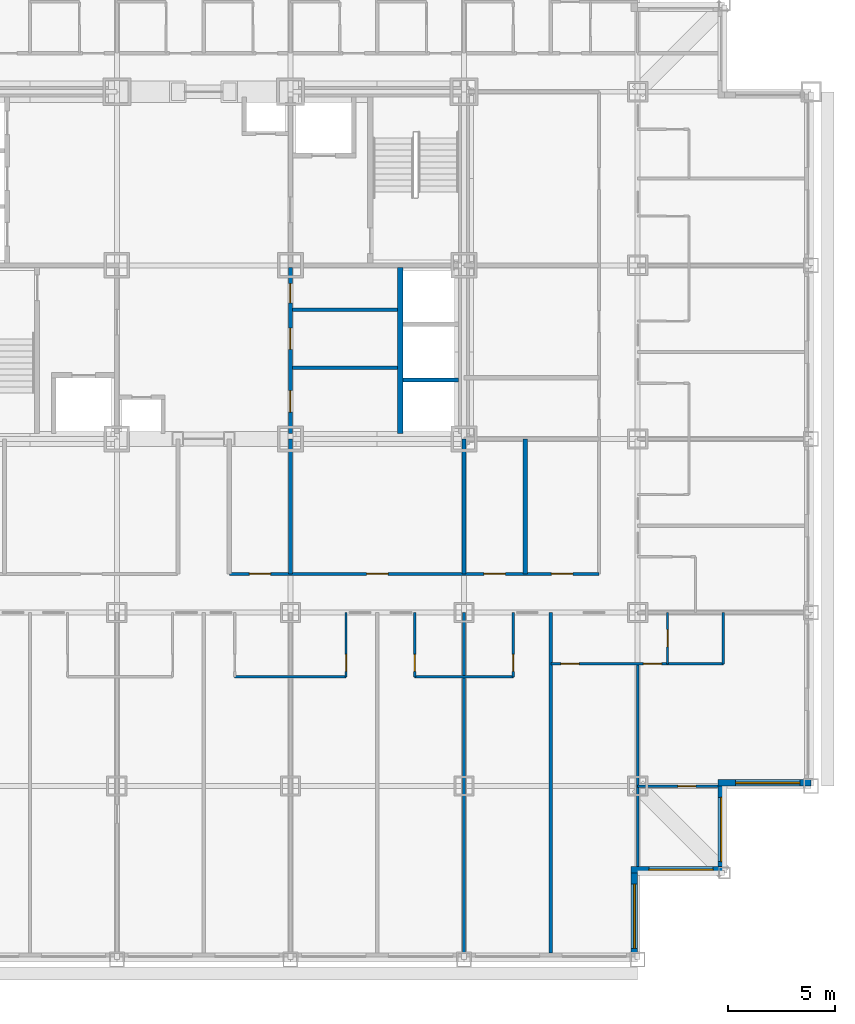
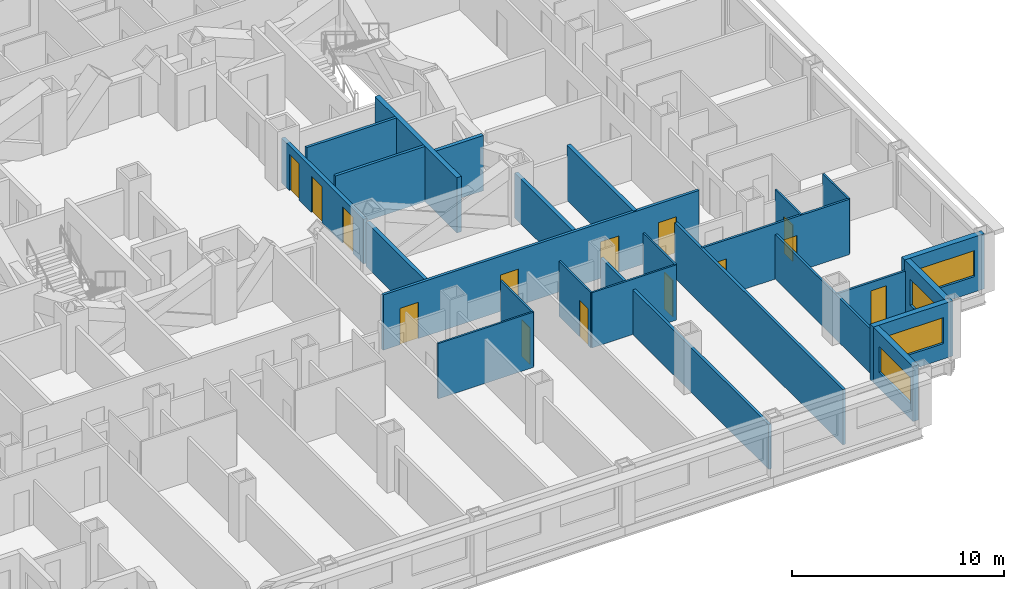
# One storey, part 6 of 12: 25 walls, 14 doors, 4 windows, 18 openings.
"""IFC4 building model written with IfcOpenShell, lengths in metres."""

import ifcopenshell
import ifcopenshell.guid

model = None  # the IFC model being written
_history = None  # IfcOwnerHistory: only IFC2X3 demands one
_inside = {}  # id of a spatial element -> (the spatial element, [elements in it])
_under = {}  # id of a project, library or spatial element -> (it, [spatial elements below it])
_declared = {}  # id of a project -> (the project, [libraries it declares])
_typed = {}  # id of a type object -> (the type object, [elements of that type])
_made_of = {}  # id of a material, layer set ... -> (it, [elements and type objects made of it])


def new_model(schema):
    """Start an empty IFC model of exactly this schema.

    Asked for "IFC4X3", IfcOpenShell would pick the latest addendum, in which some entities
    have other attributes; the version numbers below select the first issue.
    IFC2X3 requires an IfcOwnerHistory on every rooted entity: one is made here for all.
    """
    global model, _history
    if schema == "IFC4X3":
        model = ifcopenshell.file(schema_version=(4, 3, 0, 0))
    else:
        model = ifcopenshell.file(schema=schema)
    _inside.clear()
    _under.clear()
    _declared.clear()
    _typed.clear()
    _made_of.clear()
    _history = None
    if model.schema == "IFC2X3":
        org = make("IfcOrganization", Name="unknown")
        user = make(
            "IfcPersonAndOrganization",
            ThePerson=make("IfcPerson", FamilyName="unknown"),
            TheOrganization=org,
        )
        app = make(
            "IfcApplication",
            ApplicationDeveloper=org,
            Version="unknown",
            ApplicationFullName="unknown",
            ApplicationIdentifier="unknown",
        )
        _history = make(
            "IfcOwnerHistory",
            OwningUser=user,
            OwningApplication=app,
            ChangeAction="ADDED",
            CreationDate=0,
        )
    return model


def make(cls, **values):
    """One entity of the class cls with the attributes given. An attribute that is None is left unset."""
    return model.create_entity(
        cls, **{name: value for name, value in values.items() if value is not None}
    )


def rooted(cls, **values):
    """An entity with a GlobalId (a new one), such as an element, a storey or a relation."""
    return make(cls, GlobalId=ifcopenshell.guid.new(), OwnerHistory=_history, **values)


def si_unit(unit_type, name, prefix=None):
    """IfcSIUnit, for example si_unit("LENGTHUNIT", "METRE", prefix="MILLI")."""
    return make("IfcSIUnit", UnitType=unit_type, Prefix=prefix, Name=name)


def assignment(units):
    """IfcUnitAssignment: the units of a project."""
    return None if units is None else make("IfcUnitAssignment", Units=units)


def point(xyz):
    """IfcCartesianPoint."""
    return None if xyz is None else make("IfcCartesianPoint", Coordinates=xyz)


def direction(xyz):
    """IfcDirection."""
    return None if xyz is None else make("IfcDirection", DirectionRatios=xyz)


def frame(location, z_axis=None, x_axis=None):
    """IfcAxis2Placement3D, a coordinate frame: its origin and axes. An axis left out is left unset."""
    return make(
        "IfcAxis2Placement3D",
        Location=point(location),
        Axis=direction(z_axis),
        RefDirection=direction(x_axis),
    )


def frame_2d(location, x_axis=None):
    """IfcAxis2Placement2D, a coordinate frame in the plane: its origin and x axis."""
    return make(
        "IfcAxis2Placement2D", Location=point(location), RefDirection=direction(x_axis)
    )


def origin():
    """The frame at (0, 0, 0) with its axes left unset."""
    return frame((0.0, 0.0, 0.0))


def place(relative_to, where):
    """IfcLocalPlacement: puts the frame where relative to a parent placement (None: the world)."""
    return make(
        "IfcLocalPlacement", PlacementRelTo=relative_to, RelativePlacement=where
    )


def context(
    kind, dimensions, precision=None, world=None, true_north=None, identifier=None
):
    """IfcGeometricRepresentationContext, for example the 3D "Model" context."""
    return make(
        "IfcGeometricRepresentationContext",
        ContextIdentifier=identifier,
        ContextType=kind,
        CoordinateSpaceDimension=dimensions,
        Precision=precision,
        WorldCoordinateSystem=world,
        TrueNorth=true_north,
    )


def subcontext(parent, identifier, kind, view, scale=None):
    """IfcGeometricRepresentationSubContext, for example "Body" below "Model"."""
    return make(
        "IfcGeometricRepresentationSubContext",
        ContextIdentifier=identifier,
        ContextType=kind,
        ParentContext=parent,
        TargetScale=scale,
        TargetView=view,
    )


def project(units=None, contexts=None):
    """IfcProject with its units and contexts."""
    return rooted(
        "IfcProject",
        Name="project",
        RepresentationContexts=contexts,
        UnitsInContext=assignment(units),
    )


def spatial(cls, under=None, at=None, **own):
    """A site, building, storey or space (cls), placed at a placement, below another one or the project."""
    s = rooted(cls, ObjectPlacement=at, **own)
    if under is not None:
        _under.setdefault(under.id(), (under, []))[1].append(s)
    return s


def profile(cls, at=None, kind="AREA", **sizes):
    """A parametric profile (cls). Its sizes go by their IFC names, for example OverallWidth=200.0."""
    return make(cls, ProfileType=kind, Position=at, **sizes)


def rectangle(**sizes):
    """IfcRectangleProfileDef."""
    return profile("IfcRectangleProfileDef", **sizes)


def extrude(swept, where, along, depth):
    """IfcExtrudedAreaSolid: the profile swept, set in the frame where, extruded along a direction by depth."""
    return make(
        "IfcExtrudedAreaSolid",
        SweptArea=swept,
        Position=where,
        ExtrudedDirection=direction(along),
        Depth=depth,
    )


def shape(context_of_items, identifier, shape_type, items):
    """IfcShapeRepresentation: the items that make up one representation, for example the "Body"."""
    return make(
        "IfcShapeRepresentation",
        ContextOfItems=context_of_items,
        RepresentationIdentifier=identifier,
        RepresentationType=shape_type,
        Items=items,
    )


def material(Name=None, Category=None):
    """IfcMaterial."""
    return make("IfcMaterial", Name=Name, Category=Category)


def layer(
    of_material, thickness, ventilated=None, Name=None, Category=None, Priority=None
):
    """IfcMaterialLayer: one layer of a wall or slab, of a material (None: an air gap)."""
    return make(
        "IfcMaterialLayer",
        Material=of_material,
        LayerThickness=thickness,
        IsVentilated=ventilated,
        Name=Name,
        Category=Category,
        Priority=Priority,
    )


def layer_set(layers, Name=None):
    """IfcMaterialLayerSet."""
    return make("IfcMaterialLayerSet", MaterialLayers=layers, LayerSetName=Name)


def made_of(thing, what):
    """Note that an element or type object is made of a material, layer set ...; save() writes the relation."""
    if what is not None:
        _made_of.setdefault(what.id(), (what, []))[1].append(thing)
    return thing


def type_object(cls, material=None, **own):
    """A type object (cls), such as IfcWallType, which elements share."""
    return made_of(rooted(cls, **own), material)


def element(
    cls,
    number,
    at=None,
    inside=None,
    cuts=None,
    type_object=None,
    material=None,
    context=None,
    identifier="Body",
    shape_type=None,
    held_by="IfcProductDefinitionShape",
    body=None,
    shapes=None,
    **own,
):
    """One element of the class cls, such as IfcWall. Its Tag is "e" and its number.

    at: its placement. inside: the storey or other place that contains it. cuts: it is an
    opening in that element (IfcRelVoidsElement). A single representation is given by context,
    identifier, shape_type and body (its items); several are given by shapes. held_by: the class
    of the entity that holds the representations. save() writes the other relations.
    """
    e = rooted(cls, Tag="e%d" % number, ObjectPlacement=at, **own)
    if body is not None:
        shapes = [shape(context, identifier, shape_type, body)]
    if shapes is not None:
        e.Representation = make(held_by, Representations=shapes)
    if inside is not None:
        _inside.setdefault(inside.id(), (inside, []))[1].append(e)
    if cuts is not None:
        rooted(
            "IfcRelVoidsElement", RelatingBuildingElement=cuts, RelatedOpeningElement=e
        )
    if type_object is not None:
        _typed.setdefault(type_object.id(), (type_object, []))[1].append(e)
    return made_of(e, material)


def fill(opening, filler):
    """IfcRelFillsElement: the door or window that sits in an opening."""
    return rooted(
        "IfcRelFillsElement",
        RelatingOpeningElement=opening,
        RelatedBuildingElement=filler,
    )


def aggregate(whole, parts):
    """IfcRelAggregates: a whole, such as a stair, and the parts it consists of."""
    return rooted("IfcRelAggregates", RelatingObject=whole, RelatedObjects=parts)


def save(model, path):
    """Write the relations noted so far, then the file.

    IfcRelAggregates (storeys below a building ...), IfcRelContainedInSpatialStructure (elements
    in a storey), IfcRelDefinesByType, IfcRelAssociatesMaterial and IfcRelDeclares: one each for
    every whole, place, type object, material and project.
    """
    for whole, parts in _under.values():
        aggregate(whole, parts)
    for where, things in _inside.values():
        rooted(
            "IfcRelContainedInSpatialStructure",
            RelatedElements=things,
            RelatingStructure=where,
        )
    for kind, things in _typed.values():
        rooted("IfcRelDefinesByType", RelatedObjects=things, RelatingType=kind)
    for what, things in _made_of.values():
        rooted("IfcRelAssociatesMaterial", RelatedObjects=things, RelatingMaterial=what)
    for by, libraries in _declared.values():
        rooted("IfcRelDeclares", RelatingContext=by, RelatedDefinitions=libraries)
    model.write(path)


model = new_model("IFC4")

# Units and contexts
model_context = context("Model", 3, precision=1e-05, world=origin(), true_north=direction((0.0, 1.0)))
body_context = subcontext(model_context, "Body", "Model", "MODEL_VIEW")
ifc_project = project(units=[si_unit("LENGTHUNIT", "METRE"), si_unit("AREAUNIT", "SQUARE_METRE"), si_unit("VOLUMEUNIT", "CUBIC_METRE"), si_unit("PLANEANGLEUNIT", "RADIAN"), si_unit("MASSUNIT", "GRAM", prefix="KILO")], contexts=[model_context])

# Site, building, storey
site_placement = place(None, origin())
site = spatial("IfcSite", under=ifc_project, at=site_placement, CompositionType="ELEMENT")
building_placement = place(site_placement, origin())
building = spatial("IfcBuilding", under=site, at=building_placement, Name="Kopane Lantern Tower", CompositionType="ELEMENT")
storey_placement = place(building_placement, frame((0.0, 0.0, 43.199951171875)))
storey = spatial("IfcBuildingStorey", under=building, at=storey_placement, Name="L09", CompositionType="ELEMENT", Elevation=43.199951171875)

# Wall, openings, doors
ifc_material_1 = material(Name="Gypsum board on steel studs", Category="steel")
ifc_layer_1 = layer(ifc_material_1, 0.1201171875)
ifc_layer_set_1 = layer_set([ifc_layer_1], Name="APARTMENT INTERNAL WALL 120")
wall_type_1 = type_object("IfcWallType", Name="APARTMENT INTERNAL WALL 120", PredefinedType="PARTITIONING", material=ifc_layer_set_1)
wall_1_placement = place(storey_placement, frame((44.550048828125, 13.800048828125, 0.0), z_axis=(0.0, 0.0, 1.0), x_axis=(1.0, 0.0, 0.0)))
wall_1 = element("IfcWall", 1, at=wall_1_placement, inside=storey, type_object=wall_type_1, Name="Apartment Internal Wall 120 L09", PredefinedType="PARTITIONING", context=body_context, shape_type="SweptSolid", body=[
    extrude(rectangle(XDim=8.050048828125, YDim=0.1201171875, at=frame_2d((4.02490234375, 0.0))), origin(), (0.0, 0.0, 1.0), 3.18994140625),
])
opening_1_placement = place(wall_1_placement, frame((0.47509765625, 0.0, 0.0)))
opening_1 = element("IfcOpeningElement", 2, at=opening_1_placement, cuts=wall_1, Name="Opening L09-079", PredefinedType="OPENING", context=body_context, shape_type="SweptSolid", body=[
    extrude(rectangle(XDim=0.85009765625, YDim=2.10009765625, at=frame_2d((0.425048828125, 1.050048828125))), frame((0.0, 0.070068359375, 0.0), z_axis=(0.0, -1.0, 0.0), x_axis=(1.0, 0.0, 0.0)), (0.0, 0.0, 1.0), 0.14013671875),
])
opening_2_placement = place(wall_1_placement, frame((4.324951171875, 0.0, 0.0)))
opening_2 = element("IfcOpeningElement", 3, at=opening_2_placement, cuts=wall_1, Name="Opening L09-081", PredefinedType="OPENING", context=body_context, shape_type="SweptSolid", body=[
    extrude(rectangle(XDim=0.85009765625, YDim=2.10009765625, at=frame_2d((0.425048828125, 1.050048828125))), frame((0.0, 0.070068359375, 0.0), z_axis=(0.0, -1.0, 0.0), x_axis=(1.0, 0.0, 0.0)), (0.0, 0.0, 1.0), 0.14013671875),
])
ifc_material_2 = material(Name="Timber door set", Category="wood")
door_type_1 = type_object("IfcDoorType", Name="DOOR D4 850x2100", OperationType="SINGLE_SWING_LEFT", PredefinedType="DOOR", material=ifc_material_2)
door_1_placement = place(opening_1_placement, origin())
door_1 = element("IfcDoor", 4, at=door_1_placement, inside=storey, type_object=door_type_1, Name="Door L09-079", OperationType="SINGLE_SWING_LEFT", OverallHeight=2.10009765625, OverallWidth=0.85009765625, PredefinedType="DOOR", context=body_context, shape_type="SweptSolid", body=[
    extrude(rectangle(XDim=0.85009765625, YDim=2.10009765625, at=frame_2d((0.425048828125, 1.050048828125))), frame((0.0, 0.02490234375, 0.0), z_axis=(0.0, -1.0, 0.0), x_axis=(1.0, 0.0, 0.0)), (0.0, 0.0, 1.0), 0.050048828125),
])
fill(opening_1, door_1)
door_2_placement = place(opening_2_placement, origin())
door_2 = element("IfcDoor", 5, at=door_2_placement, inside=storey, type_object=door_type_1, Name="Door L09-081", OperationType="SINGLE_SWING_RIGHT", OverallHeight=2.10009765625, OverallWidth=0.85009765625, PredefinedType="DOOR", context=body_context, shape_type="SweptSolid", body=[
    extrude(rectangle(XDim=0.85009765625, YDim=2.10009765625, at=frame_2d((0.425048828125, 1.050048828125))), frame((0.0, 0.02490234375, 0.0), z_axis=(0.0, -1.0, 0.0), x_axis=(1.0, 0.0, 0.0)), (0.0, 0.0, 1.0), 0.050048828125),
])
fill(opening_2, door_2)

# Wall
wall_2_placement = place(storey_placement, frame((48.60009765625, 13.800048828125, 0.0), z_axis=(0.0, 0.0, 1.0), x_axis=(0.0, -1.0, 0.0)))
element("IfcWall", 6, at=wall_2_placement, inside=storey, type_object=wall_type_1, Name="Apartment Internal Wall 120 L09", PredefinedType="PARTITIONING", context=body_context, shape_type="SweptSolid", body=[
    extrude(rectangle(XDim=9.449951171875, YDim=0.1201171875, at=frame_2d((4.72509765625, 0.0))), origin(), (0.0, 0.0, 1.0), 2.577880859375),
])

# Wall, opening, door
wall_3_placement = place(storey_placement, frame((48.60009765625, 8.10009765625, 0.0), z_axis=(0.0, 0.0, 1.0), x_axis=(1.0, 0.0, 0.0)))
wall_3 = element("IfcWall", 7, at=wall_3_placement, inside=storey, type_object=wall_type_1, Name="Apartment Internal Wall 120 L09", PredefinedType="PARTITIONING", context=body_context, shape_type="SweptSolid", body=[
    extrude(rectangle(XDim=3.75, YDim=0.1201171875, at=frame_2d((1.875, 0.0))), origin(), (0.0, 0.0, 1.0), 2.577880859375),
])
opening_3_placement = place(wall_3_placement, frame((1.875, 0.0, 0.0)))
opening_3 = element("IfcOpeningElement", 8, at=opening_3_placement, cuts=wall_3, Name="Opening L09-082", PredefinedType="OPENING", context=body_context, shape_type="SweptSolid", body=[
    extrude(rectangle(XDim=0.85009765625, YDim=2.10009765625, at=frame_2d((0.425048828125, 1.050048828125))), frame((0.0, 0.070068359375, 0.0), z_axis=(0.0, -1.0, 0.0), x_axis=(1.0, 0.0, 0.0)), (0.0, 0.0, 1.0), 0.14013671875),
])
door_3_placement = place(opening_3_placement, origin())
door_3 = element("IfcDoor", 9, at=door_3_placement, inside=storey, type_object=door_type_1, Name="Door L09-082", OperationType="SINGLE_SWING_LEFT", OverallHeight=2.10009765625, OverallWidth=0.85009765625, PredefinedType="DOOR", context=body_context, shape_type="SweptSolid", body=[
    extrude(rectangle(XDim=0.85009765625, YDim=2.10009765625, at=frame_2d((0.425048828125, 1.050048828125))), frame((0.0, 0.02490234375, 0.0), z_axis=(0.0, -1.0, 0.0), x_axis=(1.0, 0.0, 0.0)), (0.0, 0.0, 1.0), 0.050048828125),
])
fill(opening_3, door_3)

# Wall
ifc_material_3 = material(Name="Moisture-resistant board on steel studs", Category="steel")
ifc_layer_2 = layer(ifc_material_3, 0.10009765625)
ifc_layer_set_2 = layer_set([ifc_layer_2], Name="BATHROOM WALL 100")
wall_type_2 = type_object("IfcWallType", Name="BATHROOM WALL 100", PredefinedType="PARTITIONING", material=ifc_layer_set_2)
wall_4_placement = place(storey_placement, frame((29.800048828125, 13.199951171875, 0.0), z_axis=(0.0, 0.0, 1.0), x_axis=(1.0, 0.0, 0.0)))
element("IfcWall", 10, at=wall_4_placement, inside=storey, type_object=wall_type_2, Name="Bathroom Wall 100 L09", PredefinedType="PARTITIONING", context=body_context, shape_type="SweptSolid", body=[
    extrude(rectangle(XDim=5.199951171875, YDim=0.10009765625, at=frame_2d((2.60009765625, 0.0))), origin(), (0.0, 0.0, 1.0), 3.18994140625),
])

# Wall, opening, door
wall_5_placement = place(storey_placement, frame((35.0, 16.199951171875, 0.0), z_axis=(0.0, 0.0, 1.0), x_axis=(0.0, -1.0, 0.0)))
wall_5 = element("IfcWall", 11, at=wall_5_placement, inside=storey, type_object=wall_type_2, Name="Bathroom Wall 100 L09", PredefinedType="PARTITIONING", context=body_context, shape_type="SweptSolid", body=[
    extrude(rectangle(XDim=3.0, YDim=0.10009765625, at=frame_2d((1.5, 0.0))), origin(), (0.0, 0.0, 1.0), 3.18994140625),
])
opening_4_placement = place(wall_5_placement, frame((1.949951171875, 0.0, 0.0)))
opening_4 = element("IfcOpeningElement", 12, at=opening_4_placement, cuts=wall_5, Name="Opening L09-027", PredefinedType="OPENING", context=body_context, shape_type="SweptSolid", body=[
    extrude(rectangle(XDim=0.800048828125, YDim=2.10009765625, at=frame_2d((0.39990234375, 1.050048828125))), frame((0.0, 0.06005859375, 0.0), z_axis=(0.0, -1.0, 0.0), x_axis=(1.0, 0.0, 0.0)), (0.0, 0.0, 1.0), 0.1201171875),
])
ifc_material_4 = material(Name="Timber door set", Category="wood")
door_type_2 = type_object("IfcDoorType", Name="DOOR D2 800x2100", OperationType="SINGLE_SWING_LEFT", PredefinedType="DOOR", material=ifc_material_4)
door_4_placement = place(opening_4_placement, origin())
door_4 = element("IfcDoor", 13, at=door_4_placement, inside=storey, type_object=door_type_2, Name="Door L09-027", OperationType="SINGLE_SWING_LEFT", OverallHeight=2.10009765625, OverallWidth=0.800048828125, PredefinedType="DOOR", context=body_context, shape_type="SweptSolid", body=[
    extrude(rectangle(XDim=0.800048828125, YDim=2.10009765625, at=frame_2d((0.39990234375, 1.050048828125))), frame((0.0, 0.02490234375, 0.0), z_axis=(0.0, -1.0, 0.0), x_axis=(1.0, 0.0, 0.0)), (0.0, 0.0, 1.0), 0.050048828125),
])
fill(opening_4, door_4)

# Wall
wall_6_placement = place(storey_placement, frame((38.199951171875, 13.199951171875, 0.0), z_axis=(0.0, 0.0, 1.0), x_axis=(1.0, 0.0, 0.0)))
element("IfcWall", 14, at=wall_6_placement, inside=storey, type_object=wall_type_2, Name="Bathroom Wall 100 L09", PredefinedType="PARTITIONING", context=body_context, shape_type="SweptSolid", body=[
    extrude(rectangle(XDim=4.60009765625, YDim=0.10009765625, at=frame_2d((2.300048828125, 0.0))), origin(), (0.0, 0.0, 1.0), 3.18994140625),
])

# Wall, opening, door
wall_7_placement = place(storey_placement, frame((38.199951171875, 16.199951171875, 0.0), z_axis=(0.0, 0.0, 1.0), x_axis=(0.0, -1.0, 0.0)))
wall_7 = element("IfcWall", 15, at=wall_7_placement, inside=storey, type_object=wall_type_2, Name="Bathroom Wall 100 L09", PredefinedType="PARTITIONING", context=body_context, shape_type="SweptSolid", body=[
    extrude(rectangle(XDim=3.0, YDim=0.10009765625, at=frame_2d((1.5, 0.0))), origin(), (0.0, 0.0, 1.0), 3.18994140625),
])
opening_5_placement = place(wall_7_placement, frame((1.949951171875, 0.0, 0.0)))
opening_5 = element("IfcOpeningElement", 16, at=opening_5_placement, cuts=wall_7, Name="Opening L09-029", PredefinedType="OPENING", context=body_context, shape_type="SweptSolid", body=[
    extrude(rectangle(XDim=0.800048828125, YDim=2.10009765625, at=frame_2d((0.39990234375, 1.050048828125))), frame((0.0, 0.06005859375, 0.0), z_axis=(0.0, -1.0, 0.0), x_axis=(1.0, 0.0, 0.0)), (0.0, 0.0, 1.0), 0.1201171875),
])
door_5_placement = place(opening_5_placement, origin())
door_5 = element("IfcDoor", 17, at=door_5_placement, inside=storey, type_object=door_type_2, Name="Door L09-029", OperationType="SINGLE_SWING_RIGHT", OverallHeight=2.10009765625, OverallWidth=0.800048828125, PredefinedType="DOOR", context=body_context, shape_type="SweptSolid", body=[
    extrude(rectangle(XDim=0.800048828125, YDim=2.10009765625, at=frame_2d((0.39990234375, 1.050048828125))), frame((0.0, 0.02490234375, 0.0), z_axis=(0.0, -1.0, 0.0), x_axis=(1.0, 0.0, 0.0)), (0.0, 0.0, 1.0), 0.050048828125),
])
fill(opening_5, door_5)

wall_8_placement = place(storey_placement, frame((42.800048828125, 16.199951171875, 0.0), z_axis=(0.0, 0.0, 1.0), x_axis=(0.0, -1.0, 0.0)))
wall_8 = element("IfcWall", 18, at=wall_8_placement, inside=storey, type_object=wall_type_2, Name="Bathroom Wall 100 L09", PredefinedType="PARTITIONING", context=body_context, shape_type="SweptSolid", body=[
    extrude(rectangle(XDim=3.0, YDim=0.10009765625, at=frame_2d((1.5, 0.0))), origin(), (0.0, 0.0, 1.0), 3.18994140625),
])
opening_6_placement = place(wall_8_placement, frame((1.949951171875, 0.0, 0.0)))
opening_6 = element("IfcOpeningElement", 19, at=opening_6_placement, cuts=wall_8, Name="Opening L09-031", PredefinedType="OPENING", context=body_context, shape_type="SweptSolid", body=[
    extrude(rectangle(XDim=0.800048828125, YDim=2.10009765625, at=frame_2d((0.39990234375, 1.050048828125))), frame((0.0, 0.06005859375, 0.0), z_axis=(0.0, -1.0, 0.0), x_axis=(1.0, 0.0, 0.0)), (0.0, 0.0, 1.0), 0.1201171875),
])
door_6_placement = place(opening_6_placement, origin())
door_6 = element("IfcDoor", 20, at=door_6_placement, inside=storey, type_object=door_type_2, Name="Door L09-031", OperationType="SINGLE_SWING_LEFT", OverallHeight=2.10009765625, OverallWidth=0.800048828125, PredefinedType="DOOR", context=body_context, shape_type="SweptSolid", body=[
    extrude(rectangle(XDim=0.800048828125, YDim=2.10009765625, at=frame_2d((0.39990234375, 1.050048828125))), frame((0.0, 0.02490234375, 0.0), z_axis=(0.0, -1.0, 0.0), x_axis=(1.0, 0.0, 0.0)), (0.0, 0.0, 1.0), 0.050048828125),
])
fill(opening_6, door_6)

wall_9_placement = place(storey_placement, frame((50.0, 16.199951171875, 0.0), z_axis=(0.0, 0.0, 1.0), x_axis=(0.0, -1.0, 0.0)))
wall_9 = element("IfcWall", 21, at=wall_9_placement, inside=storey, type_object=wall_type_2, Name="Bathroom Wall 100 L09", PredefinedType="PARTITIONING", context=body_context, shape_type="SweptSolid", body=[
    extrude(rectangle(XDim=2.39990234375, YDim=0.10009765625, at=frame_2d((1.199951171875, 0.0))), origin(), (0.0, 0.0, 1.0), 3.18994140625),
])
opening_7_placement = place(wall_9_placement, frame((0.800048828125, 0.0, 0.0)))
opening_7 = element("IfcOpeningElement", 22, at=opening_7_placement, cuts=wall_9, Name="Opening L09-080", PredefinedType="OPENING", context=body_context, shape_type="SweptSolid", body=[
    extrude(rectangle(XDim=0.800048828125, YDim=2.10009765625, at=frame_2d((0.39990234375, 1.050048828125))), frame((0.0, 0.06005859375, 0.0), z_axis=(0.0, -1.0, 0.0), x_axis=(1.0, 0.0, 0.0)), (0.0, 0.0, 1.0), 0.1201171875),
])
door_7_placement = place(opening_7_placement, origin())
door_7 = element("IfcDoor", 23, at=door_7_placement, inside=storey, type_object=door_type_2, Name="Door L09-080", OperationType="SINGLE_SWING_LEFT", OverallHeight=2.10009765625, OverallWidth=0.800048828125, PredefinedType="DOOR", context=body_context, shape_type="SweptSolid", body=[
    extrude(rectangle(XDim=0.800048828125, YDim=2.10009765625, at=frame_2d((0.39990234375, 1.050048828125))), frame((0.0, 0.02490234375, 0.0), z_axis=(0.0, -1.0, 0.0), x_axis=(1.0, 0.0, 0.0)), (0.0, 0.0, 1.0), 0.050048828125),
])
fill(opening_7, door_7)

# Walls
wall_10_placement = place(storey_placement, frame((52.60009765625, 16.199951171875, 0.0), z_axis=(0.0, 0.0, 1.0), x_axis=(0.0, -1.0, 0.0)))
element("IfcWall", 24, at=wall_10_placement, inside=storey, type_object=wall_type_2, Name="Bathroom Wall 100 L09", PredefinedType="PARTITIONING", context=body_context, shape_type="SweptSolid", body=[
    extrude(rectangle(XDim=2.39990234375, YDim=0.10009765625, at=frame_2d((1.199951171875, 0.0))), origin(), (0.0, 0.0, 1.0), 3.18994140625),
])
ifc_material_5 = material(Name="Gypsum partition EI 60", Category="gypsum")
ifc_layer_3 = layer(ifc_material_5, 0.14990234375)
ifc_layer_set_3 = layer_set([ifc_layer_3], Name="CORE ROOM PARTITION 150 EI 60")
wall_type_3 = type_object("IfcWallType", Name="CORE ROOM PARTITION 150 EI 60", PredefinedType="PARTITIONING", material=ifc_layer_set_3)
for number, where, z_axis, x_axis, name in (
    (25, (32.5, 27.625, 0.0), (0.0, 0.0, 1.0), (1.0, 0.0, 0.0), "Core room partition L09 E1"),
    (26, (32.5, 30.324951171875, 0.0), (0.0, 0.0, 1.0), (1.0, 0.0, 0.0), "Core room partition L09 E2"),
):
    element("IfcWall", number, at=place(storey_placement, frame(where, z_axis=z_axis, x_axis=x_axis)), inside=storey, type_object=wall_type_3, Name=name, PredefinedType="PARTITIONING", context=body_context, shape_type="SweptSolid", body=[
        extrude(rectangle(XDim=4.89990234375, YDim=0.14990234375, at=frame_2d((2.449951171875, 0.0))), origin(), (0.0, 0.0, 1.0), 3.18994140625),
    ])

# Wall, openings, doors
ifc_material_6 = material(Name="Gypsum partition EI 60", Category="gypsum")
ifc_layer_4 = layer(ifc_material_6, 0.199951171875)
ifc_layer_set_4 = layer_set([ifc_layer_4], Name="CORE ROOM WALL 200 EI 60")
wall_type_4 = type_object("IfcWallType", Name="CORE ROOM WALL 200 EI 60", PredefinedType="PARTITIONING", material=ifc_layer_set_4)
wall_11_placement = place(storey_placement, frame((32.39990234375, 24.550048828125, 0.0), z_axis=(0.0, 0.0, 1.0), x_axis=(0.0, 1.0, 0.0)))
wall_11 = element("IfcWall", 27, at=wall_11_placement, inside=storey, type_object=wall_type_4, Name="Core room wall L09 XE", PredefinedType="PARTITIONING", context=body_context, shape_type="SweptSolid", body=[
    extrude(rectangle(XDim=7.75, YDim=0.199951171875, at=frame_2d((3.875, 0.0))), origin(), (0.0, 0.0, 1.0), 2.577880859375),
])
opening_8_placement = place(wall_11_placement, frame((1.0, 0.0, 0.0)))
opening_8 = element("IfcOpeningElement", 28, at=opening_8_placement, cuts=wall_11, Name="Opening 09.C20", PredefinedType="OPENING", context=body_context, shape_type="SweptSolid", body=[
    extrude(rectangle(XDim=1.0, YDim=2.10009765625, at=frame_2d((0.5, 1.050048828125))), frame((0.0, 0.10986328125, 0.0), z_axis=(0.0, -1.0, 0.0), x_axis=(1.0, 0.0, 0.0)), (0.0, 0.0, 1.0), 0.219970703125),
])
opening_9_placement = place(wall_11_placement, frame((3.925048828125, 0.0, 0.0)))
opening_9 = element("IfcOpeningElement", 29, at=opening_9_placement, cuts=wall_11, Name="Opening 09.C21", PredefinedType="OPENING", context=body_context, shape_type="SweptSolid", body=[
    extrude(rectangle(XDim=1.0, YDim=2.10009765625, at=frame_2d((0.5, 1.050048828125))), frame((0.0, 0.10986328125, 0.0), z_axis=(0.0, -1.0, 0.0), x_axis=(1.0, 0.0, 0.0)), (0.0, 0.0, 1.0), 0.219970703125),
])
opening_10_placement = place(wall_11_placement, frame((6.10009765625, 0.0, 0.0)))
opening_10 = element("IfcOpeningElement", 30, at=opening_10_placement, cuts=wall_11, Name="Opening 09.C22", PredefinedType="OPENING", context=body_context, shape_type="SweptSolid", body=[
    extrude(rectangle(XDim=0.89990234375, YDim=2.10009765625, at=frame_2d((0.449951171875, 1.050048828125))), frame((0.0, 0.10986328125, 0.0), z_axis=(0.0, -1.0, 0.0), x_axis=(1.0, 0.0, 0.0)), (0.0, 0.0, 1.0), 0.219970703125),
])
ifc_material_7 = material(Name="Steel door set", Category="steel")
door_type_3 = type_object("IfcDoorType", Name="CORE ROOM DOOR 1000x2100 FD30S", OperationType="SINGLE_SWING_RIGHT", PredefinedType="DOOR", material=ifc_material_7)
door_8_placement = place(opening_8_placement, origin())
door_8 = element("IfcDoor", 31, at=door_8_placement, inside=storey, type_object=door_type_3, Name="Door Guest pantry L09", OperationType="SINGLE_SWING_LEFT", OverallHeight=2.10009765625, OverallWidth=1.0, PredefinedType="DOOR", context=body_context, shape_type="SweptSolid", body=[
    extrude(rectangle(XDim=1.0, YDim=2.10009765625, at=frame_2d((0.5, 1.050048828125))), frame((0.0, 0.02490234375, 0.0), z_axis=(0.0, -1.0, 0.0), x_axis=(1.0, 0.0, 0.0)), (0.0, 0.0, 1.0), 0.050048828125),
])
fill(opening_8, door_8)
door_9_placement = place(opening_9_placement, origin())
door_9 = element("IfcDoor", 32, at=door_9_placement, inside=storey, type_object=door_type_3, Name="Door Ice and vending room L09", OperationType="SINGLE_SWING_LEFT", OverallHeight=2.10009765625, OverallWidth=1.0, PredefinedType="DOOR", context=body_context, shape_type="SweptSolid", body=[
    extrude(rectangle(XDim=1.0, YDim=2.10009765625, at=frame_2d((0.5, 1.050048828125))), frame((0.0, 0.02490234375, 0.0), z_axis=(0.0, -1.0, 0.0), x_axis=(1.0, 0.0, 0.0)), (0.0, 0.0, 1.0), 0.050048828125),
])
fill(opening_9, door_9)
ifc_material_8 = material(Name="Steel door set", Category="steel")
door_type_4 = type_object("IfcDoorType", Name="CORE ROOM DOOR 900x2100 FD60", OperationType="SINGLE_SWING_LEFT", PredefinedType="DOOR", material=ifc_material_8)
door_10_placement = place(opening_10_placement, origin())
door_10 = element("IfcDoor", 33, at=door_10_placement, inside=storey, type_object=door_type_4, Name="Door IT room L09", OperationType="SINGLE_SWING_RIGHT", OverallHeight=2.10009765625, OverallWidth=0.89990234375, PredefinedType="DOOR", context=body_context, shape_type="SweptSolid", body=[
    extrude(rectangle(XDim=0.89990234375, YDim=2.10009765625, at=frame_2d((0.449951171875, 1.050048828125))), frame((0.0, 0.02490234375, 0.0), z_axis=(0.0, -1.0, 0.0), x_axis=(1.0, 0.0, 0.0)), (0.0, 0.0, 1.0), 0.050048828125),
])
fill(opening_10, door_10)

# Wall
ifc_material_9 = material(Name="Gypsum shaft wall EI 120", Category="gypsum")
ifc_layer_5 = layer(ifc_material_9, 0.25)
ifc_layer_set_5 = layer_set([ifc_layer_5], Name="CORE SHAFT WALL 250 EI 120")
wall_type_5 = type_object("IfcWallType", Name="CORE SHAFT WALL 250 EI 120", PredefinedType="SOLIDWALL", material=ifc_layer_set_5)
wall_12_placement = place(storey_placement, frame((37.52490234375, 24.550048828125, 0.0), z_axis=(0.0, 0.0, 1.0), x_axis=(0.0, 1.0, 0.0)))
element("IfcWall", 34, at=wall_12_placement, inside=storey, type_object=wall_type_5, Name="Core shaft wall L09 XLR", PredefinedType="SOLIDWALL", context=body_context, shape_type="SweptSolid", body=[
    extrude(rectangle(XDim=7.75, YDim=0.25, at=frame_2d((3.875, 0.0))), origin(), (0.0, 0.0, 1.0), 3.18994140625),
])

# Wall, openings, doors
ifc_material_10 = material(Name="Gypsum board on steel studs", Category="steel")
ifc_layer_6 = layer(ifc_material_10, 0.14990234375)
ifc_layer_set_6 = layer_set([ifc_layer_6], Name="CORRIDOR WALL 150 EI 60")
wall_type_6 = type_object("IfcWallType", Name="CORRIDOR WALL 150 EI 60", PredefinedType="PARTITIONING", material=ifc_layer_set_6)
wall_13_placement = place(storey_placement, frame((29.56005859375, 18.0, 0.0), z_axis=(0.0, 0.0, 1.0), x_axis=(1.0, 0.0, 0.0)))
wall_13 = element("IfcWall", 35, at=wall_13_placement, inside=storey, type_object=wall_type_6, Name="Corridor Wall 150 Ei 60 L09", PredefinedType="PARTITIONING", context=body_context, shape_type="SweptSolid", body=[
    extrude(rectangle(XDim=17.239990234375, YDim=0.14990234375, at=frame_2d((8.6201171875, 0.0))), origin(), (0.0, 0.0, 1.0), 3.18994140625),
])
opening_11_placement = place(wall_13_placement, frame((0.918701171875, 0.0, 0.0)))
opening_11 = element("IfcOpeningElement", 36, at=opening_11_placement, cuts=wall_13, Name="Opening L09-012", PredefinedType="OPENING", context=body_context, shape_type="SweptSolid", body=[
    extrude(rectangle(XDim=1.0, YDim=2.10009765625, at=frame_2d((0.5, 1.050048828125))), frame((0.0, 0.0849609375, 0.0), z_axis=(0.0, -1.0, 0.0), x_axis=(1.0, 0.0, 0.0)), (0.0, 0.0, 1.0), 0.169921875),
])
opening_12_placement = place(wall_13_placement, frame((6.3935546875, 0.0, 0.0)))
opening_12 = element("IfcOpeningElement", 37, at=opening_12_placement, cuts=wall_13, Name="Opening L09-013", PredefinedType="OPENING", context=body_context, shape_type="SweptSolid", body=[
    extrude(rectangle(XDim=1.0, YDim=2.10009765625, at=frame_2d((0.5, 1.050048828125))), frame((0.0, 0.0849609375, 0.0), z_axis=(0.0, -1.0, 0.0), x_axis=(1.0, 0.0, 0.0)), (0.0, 0.0, 1.0), 0.169921875),
])
opening_13_placement = place(wall_13_placement, frame((11.86865234375, 0.0, 0.0)))
opening_13 = element("IfcOpeningElement", 38, at=opening_13_placement, cuts=wall_13, Name="Opening L09-014", PredefinedType="OPENING", context=body_context, shape_type="SweptSolid", body=[
    extrude(rectangle(XDim=1.0, YDim=2.10009765625, at=frame_2d((0.5, 1.050048828125))), frame((0.0, 0.0849609375, 0.0), z_axis=(0.0, -1.0, 0.0), x_axis=(1.0, 0.0, 0.0)), (0.0, 0.0, 1.0), 0.169921875),
])
opening_14_placement = place(wall_13_placement, frame((15.0185546875, 0.0, 0.0)))
opening_14 = element("IfcOpeningElement", 39, at=opening_14_placement, cuts=wall_13, Name="Opening L09-015", PredefinedType="OPENING", context=body_context, shape_type="SweptSolid", body=[
    extrude(rectangle(XDim=1.0, YDim=2.10009765625, at=frame_2d((0.5, 1.050048828125))), frame((0.0, 0.0849609375, 0.0), z_axis=(0.0, -1.0, 0.0), x_axis=(1.0, 0.0, 0.0)), (0.0, 0.0, 1.0), 0.169921875),
])
ifc_material_11 = material(Name="Steel door set", Category="steel")
door_type_5 = type_object("IfcDoorType", Name="DOOR D5 1000x2100 FD60", OperationType="SINGLE_SWING_LEFT", PredefinedType="DOOR", material=ifc_material_11)
door_11_placement = place(opening_11_placement, origin())
door_11 = element("IfcDoor", 40, at=door_11_placement, inside=storey, type_object=door_type_5, Name="Door L09-012", OperationType="SINGLE_SWING_LEFT", OverallHeight=2.10009765625, OverallWidth=1.0, PredefinedType="DOOR", context=body_context, shape_type="SweptSolid", body=[
    extrude(rectangle(XDim=1.0, YDim=2.10009765625, at=frame_2d((0.5, 1.050048828125))), frame((0.0, 0.02490234375, 0.0), z_axis=(0.0, -1.0, 0.0), x_axis=(1.0, 0.0, 0.0)), (0.0, 0.0, 1.0), 0.050048828125),
])
fill(opening_11, door_11)
door_12_placement = place(opening_12_placement, origin())
door_12 = element("IfcDoor", 41, at=door_12_placement, inside=storey, type_object=door_type_5, Name="Door L09-013", OperationType="SINGLE_SWING_RIGHT", OverallHeight=2.10009765625, OverallWidth=1.0, PredefinedType="DOOR", context=body_context, shape_type="SweptSolid", body=[
    extrude(rectangle(XDim=1.0, YDim=2.10009765625, at=frame_2d((0.5, 1.050048828125))), frame((0.0, 0.02490234375, 0.0), z_axis=(0.0, -1.0, 0.0), x_axis=(1.0, 0.0, 0.0)), (0.0, 0.0, 1.0), 0.050048828125),
])
fill(opening_12, door_12)
door_13_placement = place(opening_13_placement, origin())
door_13 = element("IfcDoor", 42, at=door_13_placement, inside=storey, type_object=door_type_5, Name="Door L09-014", OperationType="SINGLE_SWING_LEFT", OverallHeight=2.10009765625, OverallWidth=1.0, PredefinedType="DOOR", context=body_context, shape_type="SweptSolid", body=[
    extrude(rectangle(XDim=1.0, YDim=2.10009765625, at=frame_2d((0.5, 1.050048828125))), frame((0.0, 0.02490234375, 0.0), z_axis=(0.0, -1.0, 0.0), x_axis=(1.0, 0.0, 0.0)), (0.0, 0.0, 1.0), 0.050048828125),
])
fill(opening_13, door_13)
door_14_placement = place(opening_14_placement, origin())
door_14 = element("IfcDoor", 43, at=door_14_placement, inside=storey, type_object=door_type_5, Name="Door L09-015", OperationType="SINGLE_SWING_RIGHT", OverallHeight=2.10009765625, OverallWidth=1.0, PredefinedType="DOOR", context=body_context, shape_type="SweptSolid", body=[
    extrude(rectangle(XDim=1.0, YDim=2.10009765625, at=frame_2d((0.5, 1.050048828125))), frame((0.0, 0.02490234375, 0.0), z_axis=(0.0, -1.0, 0.0), x_axis=(1.0, 0.0, 0.0)), (0.0, 0.0, 1.0), 0.050048828125),
])
fill(opening_14, door_14)

# Walls
ifc_material_12 = material(Name="Gypsum board on steel studs", Category="steel")
ifc_layer_7 = layer(ifc_material_12, 0.14990234375)
ifc_layer_set_7 = layer_set([ifc_layer_7], Name="DEMISING WALL 150 EI 60")
wall_type_7 = type_object("IfcWallType", Name="DEMISING WALL 150 EI 60", PredefinedType="PARTITIONING", material=ifc_layer_set_7)
wall_14_placement = place(storey_placement, frame((40.5, 16.199951171875, 0.0), z_axis=(0.0, 0.0, 1.0), x_axis=(0.0, -1.0, 0.0)))
element("IfcWall", 44, at=wall_14_placement, inside=storey, type_object=wall_type_7, Name="Demising Wall 150 Ei 60 L09", PredefinedType="PARTITIONING", context=body_context, shape_type="SweptSolid", body=[
    extrude(rectangle(XDim=15.89990234375, YDim=0.14990234375, at=frame_2d((7.949951171875, 0.0))), origin(), (0.0, 0.0, 1.0), 2.577880859375),
])
wall_15_placement = place(storey_placement, frame((44.550048828125, 16.199951171875, 0.0), z_axis=(0.0, 0.0, 1.0), x_axis=(0.0, -1.0, 0.0)))
element("IfcWall", 45, at=wall_15_placement, inside=storey, type_object=wall_type_7, Name="Demising Wall 150 Ei 60 L09", PredefinedType="PARTITIONING", context=body_context, shape_type="SweptSolid", body=[
    extrude(rectangle(XDim=15.89990234375, YDim=0.14990234375, at=frame_2d((7.949951171875, 0.0))), origin(), (0.0, 0.0, 1.0), 3.18994140625),
])

# Wall, opening, window
ifc_material_13 = material(Name="Terracotta rainscreen on light steel framing", Category="masonry")
ifc_layer_8 = layer(ifc_material_13, 0.300048828125)
ifc_layer_set_8 = layer_set([ifc_layer_8], Name="EXTERNAL WALL EW1 300 TERRACOTTA")
wall_type_8 = type_object("IfcWallType", Name="EXTERNAL WALL EW1 300 TERRACOTTA", PredefinedType="SOLIDWALL", material=ifc_layer_set_8)
wall_16_placement = place(storey_placement, frame((48.449951171875, 0.300048828125, 0.0), z_axis=(0.0, 0.0, 1.0), x_axis=(0.0, 1.0, 0.0)))
wall_16 = element("IfcWall", 46, at=wall_16_placement, inside=storey, type_object=wall_type_8, Name="External wall E L09", PredefinedType="SOLIDWALL", context=body_context, shape_type="SweptSolid", body=[
    extrude(rectangle(XDim=3.75, YDim=0.300048828125, at=frame_2d((1.875, 0.0))), origin(), (0.0, 0.0, 1.0), 3.18994140625),
])
opening_15_placement = place(wall_16_placement, frame((0.22509765625, 0.0, 0.89990234375)))
opening_15 = element("IfcOpeningElement", 47, at=opening_15_placement, cuts=wall_16, Name="Opening WR300150", PredefinedType="OPENING", context=body_context, shape_type="SweptSolid", body=[
    extrude(rectangle(XDim=3.0, YDim=1.5, at=frame_2d((1.5, 0.75))), frame((0.0, 0.159912109375, 0.0), z_axis=(0.0, -1.0, 0.0), x_axis=(1.0, 0.0, 0.0)), (0.0, 0.0, 1.0), 0.320068359375),
])
ifc_material_14 = material(Name="Aluminium and clear glass", Category="aluminium")
window_type = type_object("IfcWindowType", Name="RIBBON WINDOW WR300150 3000x1500", PartitioningType="SINGLE_PANEL", PredefinedType="WINDOW", material=ifc_material_14)
window_1_placement = place(opening_15_placement, origin())
window_1 = element("IfcWindow", 48, at=window_1_placement, inside=storey, type_object=window_type, Name="Window E L09", OverallHeight=1.5, OverallWidth=3.0, PartitioningType="SINGLE_PANEL", PredefinedType="WINDOW", context=body_context, shape_type="SweptSolid", body=[
    extrude(rectangle(XDim=3.0, YDim=1.5, at=frame_2d((1.5, 0.75))), frame((0.0, 0.030029296875, 0.0), z_axis=(0.0, -1.0, 0.0), x_axis=(1.0, 0.0, 0.0)), (0.0, 0.0, 1.0), 0.06005859375),
])
fill(opening_15, window_1)

wall_17_placement = place(storey_placement, frame((48.300048828125, 4.199951171875, 0.0), z_axis=(0.0, 0.0, 1.0), x_axis=(1.0, 0.0, 0.0)))
wall_17 = element("IfcWall", 49, at=wall_17_placement, inside=storey, type_object=wall_type_8, Name="External wall S L09", PredefinedType="SOLIDWALL", context=body_context, shape_type="SweptSolid", body=[
    extrude(rectangle(XDim=4.349853515625, YDim=0.300048828125, at=frame_2d((2.1748046875, 0.0))), origin(), (0.0, 0.0, 1.0), 3.18994140625),
])
opening_16_placement = place(wall_17_placement, frame((0.824951171875, 0.0, 0.89990234375)))
opening_16 = element("IfcOpeningElement", 50, at=opening_16_placement, cuts=wall_17, Name="Opening WR300150", PredefinedType="OPENING", context=body_context, shape_type="SweptSolid", body=[
    extrude(rectangle(XDim=3.0, YDim=1.5, at=frame_2d((1.5, 0.75))), frame((0.0, 0.159912109375, 0.0), z_axis=(0.0, -1.0, 0.0), x_axis=(1.0, 0.0, 0.0)), (0.0, 0.0, 1.0), 0.320068359375),
])
window_2_placement = place(opening_16_placement, origin())
window_2 = element("IfcWindow", 51, at=window_2_placement, inside=storey, type_object=window_type, Name="Window S L09", OverallHeight=1.5, OverallWidth=3.0, PartitioningType="SINGLE_PANEL", PredefinedType="WINDOW", context=body_context, shape_type="SweptSolid", body=[
    extrude(rectangle(XDim=3.0, YDim=1.5, at=frame_2d((1.5, 0.75))), frame((0.0, 0.030029296875, 0.0), z_axis=(0.0, -1.0, 0.0), x_axis=(1.0, 0.0, 0.0)), (0.0, 0.0, 1.0), 0.06005859375),
])
fill(opening_16, window_2)

wall_18_placement = place(storey_placement, frame((52.5, 4.35009765625, 0.0), z_axis=(0.0, 0.0, 1.0), x_axis=(0.0, 1.0, 0.0)))
wall_18 = element("IfcWall", 52, at=wall_18_placement, inside=storey, type_object=wall_type_8, Name="External wall E L09", PredefinedType="SOLIDWALL", context=body_context, shape_type="SweptSolid", body=[
    extrude(rectangle(XDim=3.75, YDim=0.300048828125, at=frame_2d((1.875, 0.0))), origin(), (0.0, 0.0, 1.0), 3.18994140625),
])
opening_17_placement = place(wall_18_placement, frame((0.22509765625, 0.0, 0.89990234375)))
opening_17 = element("IfcOpeningElement", 53, at=opening_17_placement, cuts=wall_18, Name="Opening WR300150", PredefinedType="OPENING", context=body_context, shape_type="SweptSolid", body=[
    extrude(rectangle(XDim=3.0, YDim=1.5, at=frame_2d((1.5, 0.75))), frame((0.0, 0.159912109375, 0.0), z_axis=(0.0, -1.0, 0.0), x_axis=(1.0, 0.0, 0.0)), (0.0, 0.0, 1.0), 0.320068359375),
])
window_3_placement = place(opening_17_placement, origin())
window_3 = element("IfcWindow", 54, at=window_3_placement, inside=storey, type_object=window_type, Name="Window E L09", OverallHeight=1.5, OverallWidth=3.0, PartitioningType="SINGLE_PANEL", PredefinedType="WINDOW", context=body_context, shape_type="SweptSolid", body=[
    extrude(rectangle(XDim=3.0, YDim=1.5, at=frame_2d((1.5, 0.75))), frame((0.0, 0.030029296875, 0.0), z_axis=(0.0, -1.0, 0.0), x_axis=(1.0, 0.0, 0.0)), (0.0, 0.0, 1.0), 0.06005859375),
])
fill(opening_17, window_3)

wall_19_placement = place(storey_placement, frame((52.35009765625, 8.25, 0.0), z_axis=(0.0, 0.0, 1.0), x_axis=(1.0, 0.0, 0.0)))
wall_19 = element("IfcWall", 55, at=wall_19_placement, inside=storey, type_object=wall_type_8, Name="External wall S L09", PredefinedType="SOLIDWALL", context=body_context, shape_type="SweptSolid", body=[
    extrude(rectangle(XDim=4.349853515625, YDim=0.300048828125, at=frame_2d((2.1748046875, 0.0))), origin(), (0.0, 0.0, 1.0), 3.18994140625),
])
opening_18_placement = place(wall_19_placement, frame((0.824951171875, 0.0, 0.89990234375)))
opening_18 = element("IfcOpeningElement", 56, at=opening_18_placement, cuts=wall_19, Name="Opening WR300150", PredefinedType="OPENING", context=body_context, shape_type="SweptSolid", body=[
    extrude(rectangle(XDim=3.0, YDim=1.5, at=frame_2d((1.5, 0.75))), frame((0.0, 0.159912109375, 0.0), z_axis=(0.0, -1.0, 0.0), x_axis=(1.0, 0.0, 0.0)), (0.0, 0.0, 1.0), 0.320068359375),
])
window_4_placement = place(opening_18_placement, origin())
window_4 = element("IfcWindow", 57, at=window_4_placement, inside=storey, type_object=window_type, Name="Window S L09", OverallHeight=1.5, OverallWidth=3.0, PartitioningType="SINGLE_PANEL", PredefinedType="WINDOW", context=body_context, shape_type="SweptSolid", body=[
    extrude(rectangle(XDim=3.0, YDim=1.5, at=frame_2d((1.5, 0.75))), frame((0.0, 0.030029296875, 0.0), z_axis=(0.0, -1.0, 0.0), x_axis=(1.0, 0.0, 0.0)), (0.0, 0.0, 1.0), 0.06005859375),
])
fill(opening_18, window_4)

# Walls
ifc_material_15 = material(Name="Concrete masonry", Category="masonry")
ifc_layer_9 = layer(ifc_material_15, 0.199951171875)
ifc_layer_set_9 = layer_set([ifc_layer_9], Name="PLANT ROOM WALL 200 EI 120")
wall_type_9 = type_object("IfcWallType", Name="PLANT ROOM WALL 200 EI 120", PredefinedType="SOLIDWALL", material=ifc_layer_set_9)
for number, where, z_axis, x_axis, name in (
    (58, (40.5, 18.0, 0.0), (0.0, 0.0, 1.0), (0.0, 1.0, 0.0), "Plant Room Wall 200 Ei 120 L09"),
    (59, (32.406982421875, 18.0, 0.0), (0.0, 0.0, 1.0), (0.0, 1.0, 0.0), "Plant Room Wall 200 Ei 120 L09"),
):
    element("IfcWall", number, at=place(storey_placement, frame(where, z_axis=z_axis, x_axis=x_axis)), inside=storey, type_object=wall_type_9, Name=name, PredefinedType="SOLIDWALL", context=body_context, shape_type="SweptSolid", body=[
        extrude(rectangle(XDim=6.300048828125, YDim=0.199951171875, at=frame_2d((3.14990234375, 0.0))), origin(), (0.0, 0.0, 1.0), 2.577880859375),
    ])
wall_20_placement = place(storey_placement, frame((43.357177734375, 18.0, 0.0), z_axis=(0.0, 0.0, 1.0), x_axis=(0.0, 1.0, 0.0)))
element("IfcWall", 60, at=wall_20_placement, inside=storey, type_object=wall_type_9, Name="Plant Room Wall 200 Ei 120 L09", PredefinedType="SOLIDWALL", context=body_context, shape_type="SweptSolid", body=[
    extrude(rectangle(XDim=6.300048828125, YDim=0.199951171875, at=frame_2d((3.14990234375, 0.0))), origin(), (0.0, 0.0, 1.0), 3.18994140625),
])
ifc_material_16 = material(Name="Gypsum shaft wall EI 120", Category="gypsum")
ifc_layer_10 = layer(ifc_material_16, 0.199951171875)
ifc_layer_set_10 = layer_set([ifc_layer_10], Name="SHAFT WALL 200 EI 120")
wall_type_10 = type_object("IfcWallType", Name="SHAFT WALL 200 EI 120", PredefinedType="SOLIDWALL", material=ifc_layer_set_10)
wall_21_placement = place(storey_placement, frame((37.64990234375, 27.050048828125, 0.0), z_axis=(0.0, 0.0, 1.0), x_axis=(1.0, 0.0, 0.0)))
element("IfcWall", 61, at=wall_21_placement, inside=storey, type_object=wall_type_10, Name="Core shaft wall L09 YLR12", PredefinedType="SOLIDWALL", context=body_context, shape_type="SweptSolid", body=[
    extrude(rectangle(XDim=2.60009765625, YDim=0.199951171875, at=frame_2d((1.300048828125, 0.0))), origin(), (0.0, 0.0, 1.0), 3.18994140625),
])

save(model, "model.ifc")
